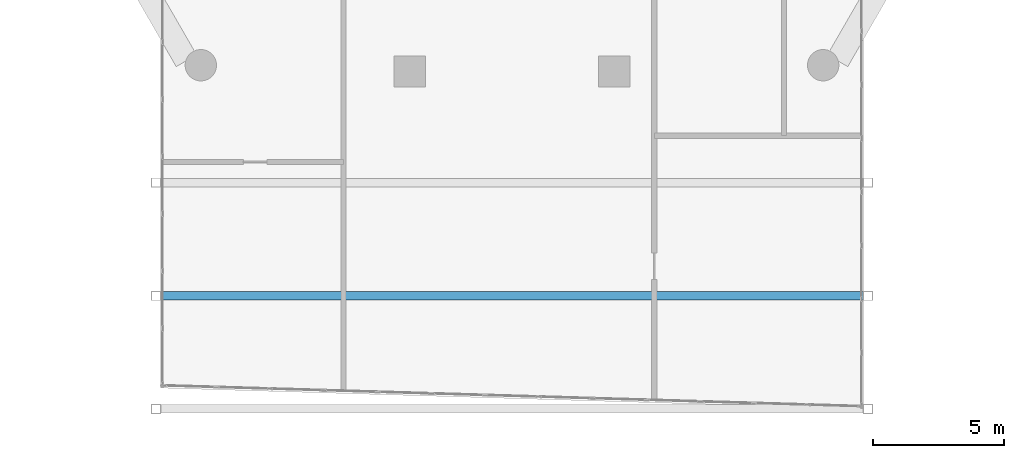
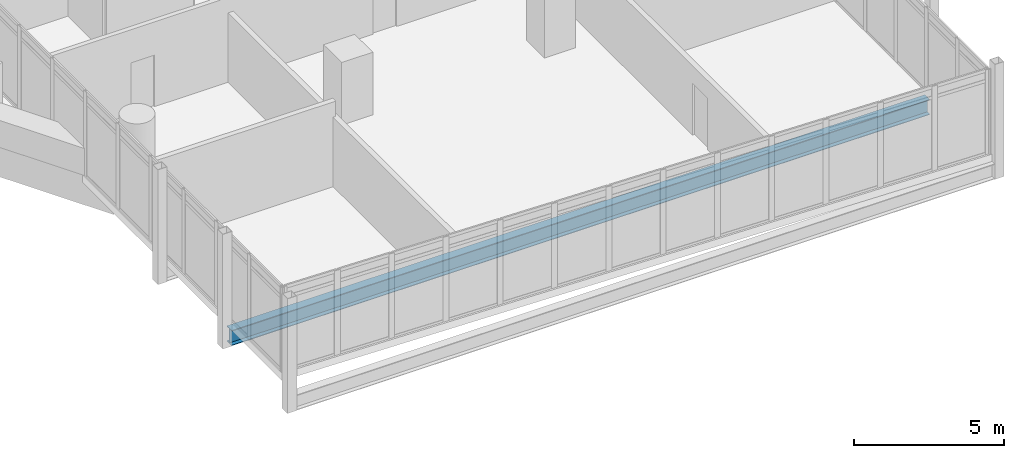
# One storey, part 6 of 28: 1 beam.
"""IFC4 building model written with IfcOpenShell, lengths in metres."""

from ifc_helpers import new_model, si_unit, direction, frame, origin, origin_2d, place, context, subcontext, project, spatial, i_section, extrude, material, material_profile, profile_set, type_object, element, save


model = new_model("IFC4")

# Units and contexts
model_context = context("Model", 3, precision=1e-05, world=origin(), true_north=direction((0.0, 1.0)))
body_context = subcontext(model_context, "Body", "Model", "MODEL_VIEW")
ifc_project = project(units=[si_unit("LENGTHUNIT", "METRE"), si_unit("AREAUNIT", "SQUARE_METRE"), si_unit("VOLUMEUNIT", "CUBIC_METRE"), si_unit("PLANEANGLEUNIT", "RADIAN"), si_unit("MASSUNIT", "GRAM", prefix="KILO")], contexts=[model_context])

# Site, building, storey
site_placement = place(None, origin())
site = spatial("IfcSite", under=ifc_project, at=site_placement, CompositionType="ELEMENT")
building_placement = place(site_placement, origin())
building = spatial("IfcBuilding", under=site, at=building_placement, Name="Ostrander Bayou Hotel Tower", CompositionType="ELEMENT")
storey_placement = place(building_placement, frame((0.0, 0.0, 142.25)))
storey = spatial("IfcBuildingStorey", under=building, at=storey_placement, Name="L35", CompositionType="ELEMENT", Elevation=142.25)

# Beam
ifc_material = material(Name="Steel ASTM A992", Category="steel")
ifc_material_profile = material_profile(ifc_material, i_section(OverallWidth=0.32763671875, OverallDepth=0.621826171875, WebThickness=0.015380859375, FlangeThickness=0.0244140625, at=origin_2d()))
ifc_profile_set = profile_set([ifc_material_profile], Name="Steel ASTM A992")
beam_type = type_object("IfcBeamType", Name="TF1 bar floor beam W24x131", PredefinedType="BEAM", material=ifc_profile_set)
beam_placement = place(storey_placement, frame((-13.442138671875, -27.122314453125, -0.61083984375), z_axis=(1.0, 0.0, 0.0), x_axis=(0.0, 1.0, 0.0)))
element("IfcBeam", 1, at=beam_placement, inside=storey, type_object=beam_type, Name="TF1 SB3S L4-2", PredefinedType="BEAM", context=body_context, shape_type="SweptSolid", body=[
    extrude(i_section(OverallWidth=0.32763671875, OverallDepth=0.621826171875, WebThickness=0.015380859375, FlangeThickness=0.0244140625, at=origin_2d()), origin(), (0.0, 0.0, 1.0), 26.88427734375),
])

save(model, "model.ifc")
